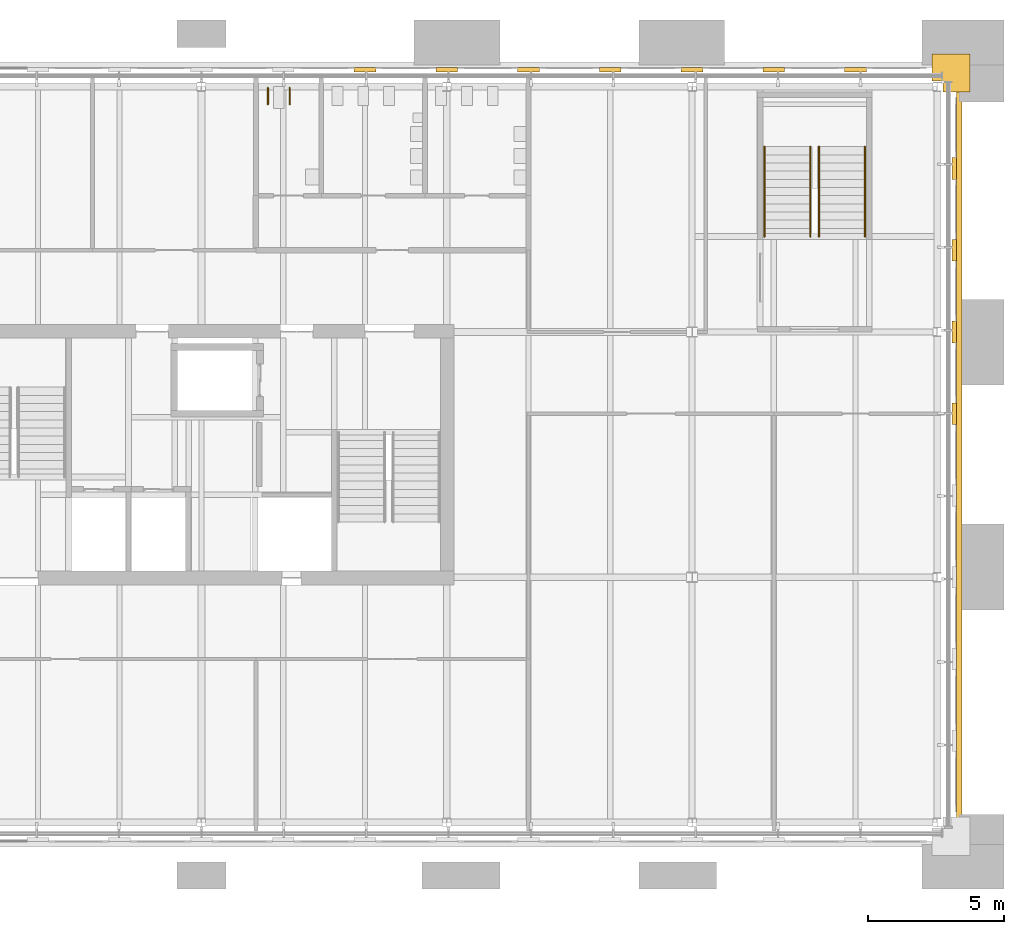
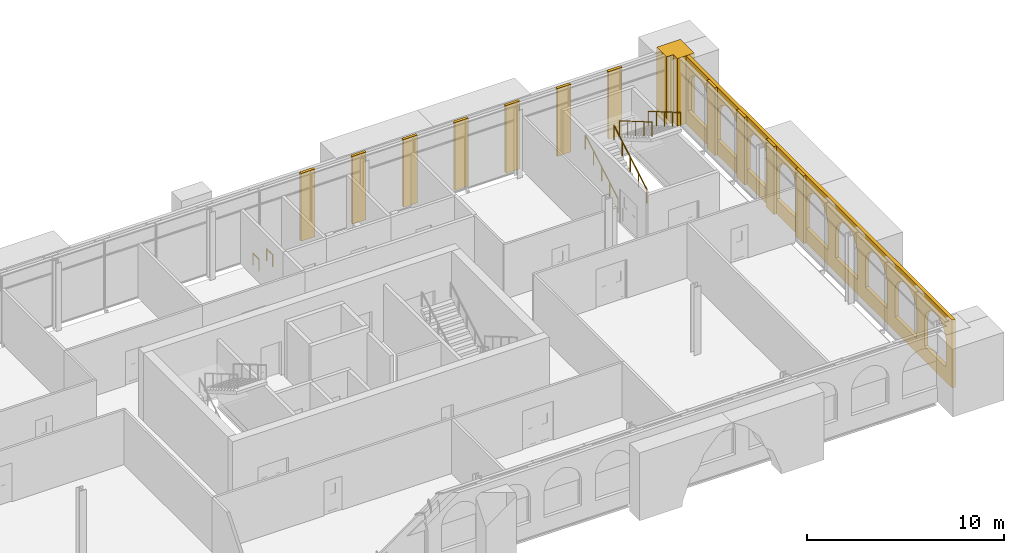
# One storey, part 21 of 22: 12 shading devices, 6 railings, 1 covering.
"""IFC4 building model written with IfcOpenShell, lengths in metres."""

from ifc_helpers import new_model, si_unit, direction, frame, origin, origin_2d, place, context, subcontext, project, spatial, polyline, rectangle, circle, outline, extrude, material, layer, layer_set, type_object, element, save


model = new_model("IFC4")

# Units and contexts
model_context = context("Model", 3, precision=1e-05, world=origin(), true_north=direction((0.0, 1.0)))
body_context = subcontext(model_context, "Body", "Model", "MODEL_VIEW")
ifc_project = project(units=[si_unit("LENGTHUNIT", "METRE"), si_unit("AREAUNIT", "SQUARE_METRE"), si_unit("VOLUMEUNIT", "CUBIC_METRE"), si_unit("PLANEANGLEUNIT", "RADIAN"), si_unit("MASSUNIT", "GRAM", prefix="KILO")], contexts=[model_context])

# Site, building, storey
site_placement = place(None, origin())
site = spatial("IfcSite", under=ifc_project, at=site_placement, CompositionType="ELEMENT")
building_placement = place(site_placement, origin())
building = spatial("IfcBuilding", under=site, at=building_placement, Name="Baradari Gate Terminus", CompositionType="ELEMENT")
storey_placement = place(building_placement, frame((0.0, 0.0, 28.5)))
storey = spatial("IfcBuildingStorey", under=building, at=storey_placement, Name="L06", CompositionType="ELEMENT", Elevation=28.5)

# Railings
ifc_material_1 = material(Name="Stainless steel 1.4301", Category="steel")
railing_type_1 = type_object("IfcRailingType", Name="Grab rail GB-1 750", PredefinedType="HANDRAIL", material=ifc_material_1)
for number, where, name in (
    (1, (38.4375, 143.949951171875, 0.0), "Grab rail Accessible WC"),
    (2, (39.237548828125, 143.949951171875, 0.0), "Grab rail Accessible WC"),
):
    element("IfcRailing", number, at=place(storey_placement, frame(where)), inside=storey, type_object=railing_type_1, Name=name, PredefinedType="HANDRAIL", context=body_context, shape_type="SweptSolid", body=[
        extrude(circle(Radius=0.02392578125, at=origin_2d()), frame((0.0, 0.0, 0.72607421875), z_axis=(0.0, -1.0, 0.0), x_axis=(1.0, 0.0, 0.0)), (0.0, 0.0, 1.0), 0.599853515625),
        extrude(circle(Radius=0.02099609375, at=origin_2d()), origin(), (0.0, 0.0, 1.0), 0.701904296875),
        extrude(circle(Radius=0.02099609375, at=origin_2d()), frame((0.0, -0.599853515625, 0.0)), (0.0, 0.0, 1.0), 0.701904296875),
    ])
ifc_material_2 = material(Name="Stainless steel 1.4301", Category="steel")
railing_type_2 = type_object("IfcRailingType", Name="Handrail HR-1 900", PredefinedType="HANDRAIL", material=ifc_material_2)
for number, where, name in (
    (3, (56.659912109375, 138.5, 0.175048828125), "Handrail ST-T3 L06 flight 1"),
    (4, (58.340087890625, 138.5, 0.175048828125), "Handrail ST-T3 L06 flight 1"),
):
    element("IfcRailing", number, at=place(storey_placement, frame(where)), inside=storey, type_object=railing_type_2, Name=name, PredefinedType="HANDRAIL", context=body_context, shape_type="SweptSolid", body=[
        extrude(circle(Radius=0.02392578125, at=origin_2d()), frame((0.0, 0.0, 0.8759765625), z_axis=(0.0, 0.863776583165, 0.503874998761), x_axis=(-1.0, 0.0, 0.0)), (0.0, 0.0, 1.0), 3.820556640625),
        extrude(circle(Radius=0.02099609375, at=origin_2d()), origin(), (0.0, 0.0, 1.0), 0.851806640625),
        extrude(circle(Radius=0.02099609375, at=origin_2d()), frame((0.0, 0.824951171875, 0.481201171875)), (0.0, 0.0, 1.0), 0.851806640625),
        extrude(circle(Radius=0.02099609375, at=origin_2d()), frame((0.0, 1.64990234375, 0.96240234375)), (0.0, 0.0, 1.0), 0.851806640625),
        extrude(circle(Radius=0.02099609375, at=origin_2d()), frame((0.0, 2.47509765625, 1.44384765625)), (0.0, 0.0, 1.0), 0.851806640625),
        extrude(circle(Radius=0.02099609375, at=origin_2d()), frame((0.0, 3.300048828125, 1.925048828125)), (0.0, 0.0, 1.0), 0.851806640625),
    ])
for number, where, name in (
    (5, (58.659912109375, 141.800048828125, 2.27490234375), "Handrail ST-T3 L06 flight 2"),
    (6, (60.340087890625, 141.800048828125, 2.27490234375), "Handrail ST-T3 L06 flight 2"),
):
    element("IfcRailing", number, at=place(storey_placement, frame(where)), inside=storey, type_object=railing_type_2, Name=name, PredefinedType="HANDRAIL", context=body_context, shape_type="SweptSolid", body=[
        extrude(circle(Radius=0.02392578125, at=origin_2d()), frame((0.0, 0.0, 0.8759765625), z_axis=(0.0, -0.863776583165, 0.503874998761), x_axis=(1.0, 0.0, 0.0)), (0.0, 0.0, 1.0), 3.820556640625),
        extrude(circle(Radius=0.02099609375, at=origin_2d()), origin(), (0.0, 0.0, 1.0), 0.851806640625),
        extrude(circle(Radius=0.02099609375, at=origin_2d()), frame((0.0, -0.824951171875, 0.481201171875)), (0.0, 0.0, 1.0), 0.851806640625),
        extrude(circle(Radius=0.02099609375, at=origin_2d()), frame((0.0, -1.64990234375, 0.96240234375)), (0.0, 0.0, 1.0), 0.851806640625),
        extrude(circle(Radius=0.02099609375, at=origin_2d()), frame((0.0, -2.47509765625, 1.44384765625)), (0.0, 0.0, 1.0), 0.851806640625),
        extrude(circle(Radius=0.02099609375, at=origin_2d()), frame((0.0, -3.300048828125, 1.925048828125)), (0.0, 0.0, 1.0), 0.851806640625),
    ])

# Covering
ifc_material_3 = material(Name="Light ochre laterite masonry", Category="masonry")
ifc_layer = layer(ifc_material_3, 0.199951171875)
ifc_layer_set = layer_set([ifc_layer], Name="Light ochre laterite masonry")
covering_type = type_object("IfcCoveringType", Name="Laterite arcade cladding LC-2 200", PredefinedType="CLADDING", material=ifc_layer_set)
covering_placement = place(storey_placement, frame((63.800048828125, 116.800048828125, 0.0), z_axis=(0.0, 0.0, 1.0), x_axis=(0.0, 1.0, 0.0)))
element("IfcCovering", 7, at=covering_placement, inside=storey, type_object=covering_type, Name="Laterite arcade cladding LC-2 L06 E face 1", PredefinedType="CLADDING", context=body_context, shape_type="SweptSolid", body=[
    extrude(outline(polyline([(0.0, 0.0), (27.39990234375, 0.0), (27.39990234375, 4.199951171875), (0.0, 4.199951171875), (0.0, 0.0)]), holes=[polyline([(0.63671875, 2.69482421875), (0.681884765625, 2.836669921875), (0.744384765625, 2.9716796875), (0.822998046875, 3.09814453125), (0.91650390625, 3.2138671875), (1.023681640625, 3.317138671875), (1.142822265625, 3.406494140625), (1.272216796875, 3.48046875), (1.409423828125, 3.537841796875), (1.552734375, 3.577880859375), (1.699951171875, 3.60009765625), (1.84716796875, 3.577880859375), (1.990478515625, 3.537841796875), (2.1279296875, 3.48046875), (2.257080078125, 3.406494140625), (2.376220703125, 3.317138671875), (2.4833984375, 3.2138671875), (2.576904296875, 3.09814453125), (2.655517578125, 2.9716796875), (2.718017578125, 2.836669921875), (2.76318359375, 2.69482421875), (2.790771484375, 2.548583984375), (2.800048828125, 2.39990234375), (2.800048828125, 0.89990234375), (0.60009765625, 0.89990234375), (0.60009765625, 2.39990234375), (0.609130859375, 2.548583984375), (0.63671875, 2.69482421875)]), polyline([(3.63671875, 2.69482421875), (3.681884765625, 2.836669921875), (3.744384765625, 2.9716796875), (3.822998046875, 3.09814453125), (3.91650390625, 3.2138671875), (4.023681640625, 3.317138671875), (4.142822265625, 3.406494140625), (4.272216796875, 3.48046875), (4.409423828125, 3.537841796875), (4.552734375, 3.577880859375), (4.699951171875, 3.60009765625), (4.84716796875, 3.577880859375), (4.990478515625, 3.537841796875), (5.1279296875, 3.48046875), (5.257080078125, 3.406494140625), (5.376220703125, 3.317138671875), (5.4833984375, 3.2138671875), (5.576904296875, 3.09814453125), (5.655517578125, 2.9716796875), (5.718017578125, 2.836669921875), (5.76318359375, 2.69482421875), (5.790771484375, 2.548583984375), (5.800048828125, 2.39990234375), (5.800048828125, 0.89990234375), (3.60009765625, 0.89990234375), (3.60009765625, 2.39990234375), (3.609130859375, 2.548583984375), (3.63671875, 2.69482421875)]), polyline([(6.63671875, 2.69482421875), (6.681884765625, 2.836669921875), (6.744384765625, 2.9716796875), (6.822998046875, 3.09814453125), (6.91650390625, 3.2138671875), (7.023681640625, 3.317138671875), (7.142822265625, 3.406494140625), (7.272216796875, 3.48046875), (7.409423828125, 3.537841796875), (7.552734375, 3.577880859375), (7.699951171875, 3.60009765625), (7.84716796875, 3.577880859375), (7.990478515625, 3.537841796875), (8.1279296875, 3.48046875), (8.257080078125, 3.406494140625), (8.376220703125, 3.317138671875), (8.4833984375, 3.2138671875), (8.576904296875, 3.09814453125), (8.655517578125, 2.9716796875), (8.718017578125, 2.836669921875), (8.76318359375, 2.69482421875), (8.790771484375, 2.548583984375), (8.800048828125, 2.39990234375), (8.800048828125, 0.89990234375), (6.60009765625, 0.89990234375), (6.60009765625, 2.39990234375), (6.609130859375, 2.548583984375), (6.63671875, 2.69482421875)]), polyline([(9.63671875, 2.69482421875), (9.681884765625, 2.836669921875), (9.744384765625, 2.9716796875), (9.822998046875, 3.09814453125), (9.91650390625, 3.2138671875), (10.023681640625, 3.317138671875), (10.142822265625, 3.406494140625), (10.272216796875, 3.48046875), (10.409423828125, 3.537841796875), (10.552734375, 3.577880859375), (10.699951171875, 3.60009765625), (10.84716796875, 3.577880859375), (10.990478515625, 3.537841796875), (11.1279296875, 3.48046875), (11.257080078125, 3.406494140625), (11.376220703125, 3.317138671875), (11.4833984375, 3.2138671875), (11.576904296875, 3.09814453125), (11.655517578125, 2.9716796875), (11.718017578125, 2.836669921875), (11.76318359375, 2.69482421875), (11.790771484375, 2.548583984375), (11.800048828125, 2.39990234375), (11.800048828125, 0.89990234375), (9.60009765625, 0.89990234375), (9.60009765625, 2.39990234375), (9.609130859375, 2.548583984375), (9.63671875, 2.69482421875)]), polyline([(12.63671875, 2.69482421875), (12.681884765625, 2.836669921875), (12.744384765625, 2.9716796875), (12.822998046875, 3.09814453125), (12.91650390625, 3.2138671875), (13.023681640625, 3.317138671875), (13.142822265625, 3.406494140625), (13.272216796875, 3.48046875), (13.409423828125, 3.537841796875), (13.552734375, 3.577880859375), (13.699951171875, 3.60009765625), (13.84716796875, 3.577880859375), (13.990478515625, 3.537841796875), (14.1279296875, 3.48046875), (14.257080078125, 3.406494140625), (14.376220703125, 3.317138671875), (14.4833984375, 3.2138671875), (14.576904296875, 3.09814453125), (14.655517578125, 2.9716796875), (14.718017578125, 2.836669921875), (14.76318359375, 2.69482421875), (14.790771484375, 2.548583984375), (14.800048828125, 2.39990234375), (14.800048828125, 0.89990234375), (12.60009765625, 0.89990234375), (12.60009765625, 2.39990234375), (12.609130859375, 2.548583984375), (12.63671875, 2.69482421875)]), polyline([(15.63671875, 2.69482421875), (15.681884765625, 2.836669921875), (15.744384765625, 2.9716796875), (15.822998046875, 3.09814453125), (15.91650390625, 3.2138671875), (16.023681640625, 3.317138671875), (16.142822265625, 3.406494140625), (16.272216796875, 3.48046875), (16.409423828125, 3.537841796875), (16.552734375, 3.577880859375), (16.699951171875, 3.60009765625), (16.84716796875, 3.577880859375), (16.990478515625, 3.537841796875), (17.1279296875, 3.48046875), (17.257080078125, 3.406494140625), (17.376220703125, 3.317138671875), (17.4833984375, 3.2138671875), (17.576904296875, 3.09814453125), (17.655517578125, 2.9716796875), (17.718017578125, 2.836669921875), (17.76318359375, 2.69482421875), (17.790771484375, 2.548583984375), (17.800048828125, 2.39990234375), (17.800048828125, 0.89990234375), (15.60009765625, 0.89990234375), (15.60009765625, 2.39990234375), (15.609130859375, 2.548583984375), (15.63671875, 2.69482421875)]), polyline([(18.63671875, 2.69482421875), (18.681884765625, 2.836669921875), (18.744384765625, 2.9716796875), (18.822998046875, 3.09814453125), (18.91650390625, 3.2138671875), (19.023681640625, 3.317138671875), (19.142822265625, 3.406494140625), (19.272216796875, 3.48046875), (19.409423828125, 3.537841796875), (19.552734375, 3.577880859375), (19.699951171875, 3.60009765625), (19.84716796875, 3.577880859375), (19.990478515625, 3.537841796875), (20.1279296875, 3.48046875), (20.257080078125, 3.406494140625), (20.376220703125, 3.317138671875), (20.4833984375, 3.2138671875), (20.576904296875, 3.09814453125), (20.655517578125, 2.9716796875), (20.718017578125, 2.836669921875), (20.76318359375, 2.69482421875), (20.790771484375, 2.548583984375), (20.800048828125, 2.39990234375), (20.800048828125, 0.89990234375), (18.60009765625, 0.89990234375), (18.60009765625, 2.39990234375), (18.609130859375, 2.548583984375), (18.63671875, 2.69482421875)]), polyline([(21.681884765625, 2.836669921875), (21.744384765625, 2.9716796875), (21.822998046875, 3.09814453125), (21.91650390625, 3.2138671875), (22.023681640625, 3.317138671875), (22.142822265625, 3.406494140625), (22.272216796875, 3.48046875), (22.409423828125, 3.537841796875), (22.552734375, 3.577880859375), (22.699951171875, 3.60009765625), (22.84716796875, 3.577880859375), (22.990478515625, 3.537841796875), (23.1279296875, 3.48046875), (23.257080078125, 3.406494140625), (23.376220703125, 3.317138671875), (23.4833984375, 3.2138671875), (23.576904296875, 3.09814453125), (23.655517578125, 2.9716796875), (23.718017578125, 2.836669921875), (23.76318359375, 2.69482421875), (23.790771484375, 2.548583984375), (23.800048828125, 2.39990234375), (23.800048828125, 0.89990234375), (21.60009765625, 0.89990234375), (21.60009765625, 2.39990234375), (21.609130859375, 2.548583984375), (21.63671875, 2.69482421875), (21.681884765625, 2.836669921875)]), polyline([(24.681884765625, 2.836669921875), (24.744384765625, 2.9716796875), (24.822998046875, 3.09814453125), (24.91650390625, 3.2138671875), (25.023681640625, 3.317138671875), (25.142822265625, 3.406494140625), (25.272216796875, 3.48046875), (25.409423828125, 3.537841796875), (25.552734375, 3.577880859375), (25.699951171875, 3.60009765625), (25.84716796875, 3.577880859375), (25.990478515625, 3.537841796875), (26.1279296875, 3.48046875), (26.257080078125, 3.406494140625), (26.376220703125, 3.317138671875), (26.4833984375, 3.2138671875), (26.576904296875, 3.09814453125), (26.655517578125, 2.9716796875), (26.718017578125, 2.836669921875), (26.76318359375, 2.69482421875), (26.790771484375, 2.548583984375), (26.800048828125, 2.39990234375), (26.800048828125, 0.89990234375), (24.60009765625, 0.89990234375), (24.60009765625, 2.39990234375), (24.609130859375, 2.548583984375), (24.63671875, 2.69482421875), (24.681884765625, 2.836669921875)])]), frame((0.0, 0.10009765625, 0.0), z_axis=(0.0, -1.0, 0.0), x_axis=(1.0, 0.0, 0.0)), (0.0, 0.0, 1.0), 0.199951171875),
])

# Shading devices
ifc_material_4 = material(Name="Light ochre laterite masonry", Category="masonry")
shading_device_type_1 = type_object("IfcShadingDeviceType", Name="Laterite arcade pier TP-4 800x195", PredefinedType="SHUTTER", material=ifc_material_4)
for number, where, z_axis, x_axis, name in (
    (8, (63.62255859375, 132.0, 0.0), (0.0, 0.0, 1.0), (0.0, 1.0, 0.0), "Arcade pier TP-4 L06 E face"),
    (9, (63.62255859375, 135.0, 0.0), (0.0, 0.0, 1.0), (0.0, 1.0, 0.0), "Arcade pier TP-4 L06 E face"),
    (10, (63.62255859375, 138.0, 0.0), (0.0, 0.0, 1.0), (0.0, 1.0, 0.0), "Arcade pier TP-4 L06 E face"),
    (11, (63.62255859375, 141.0, 0.0), (0.0, 0.0, 1.0), (0.0, 1.0, 0.0), "Arcade pier TP-4 L06 E face"),
    (12, (60.0, 144.62255859375, 0.0), (0.0, 0.0, 1.0), (-1.0, 0.0, 0.0), "Arcade pier TP-4 L06 N face"),
    (13, (57.0, 144.62255859375, 0.0), (0.0, 0.0, 1.0), (-1.0, 0.0, 0.0), "Arcade pier TP-4 L06 N face"),
    (14, (54.0, 144.62255859375, 0.0), (0.0, 0.0, 1.0), (-1.0, 0.0, 0.0), "Arcade pier TP-4 L06 N face"),
    (15, (51.0, 144.62255859375, 0.0), (0.0, 0.0, 1.0), (-1.0, 0.0, 0.0), "Arcade pier TP-4 L06 N face"),
    (16, (48.0, 144.62255859375, 0.0), (0.0, 0.0, 1.0), (-1.0, 0.0, 0.0), "Arcade pier TP-4 L06 N face"),
    (17, (45.0, 144.62255859375, 0.0), (0.0, 0.0, 1.0), (-1.0, 0.0, 0.0), "Arcade pier TP-4 L06 N face"),
    (18, (42.0, 144.62255859375, 0.0), (0.0, 0.0, 1.0), (-1.0, 0.0, 0.0), "Arcade pier TP-4 L06 N face"),
):
    element("IfcShadingDevice", number, at=place(storey_placement, frame(where, z_axis=z_axis, x_axis=x_axis)), inside=storey, type_object=shading_device_type_1, Name=name, PredefinedType="SHUTTER", context=body_context, shape_type="SweptSolid", body=[
        extrude(rectangle(XDim=0.800048828125, YDim=0.155029296875, at=origin_2d()), origin(), (0.0, 0.0, 1.0), 4.199951171875),
    ])
ifc_material_5 = material(Name="Light ochre laterite masonry", Category="masonry")
shading_device_type_2 = type_object("IfcShadingDeviceType", Name="Laterite corner pier QP-1 1000x1000", PredefinedType="SHUTTER", material=ifc_material_5)
shading_device_placement = place(storey_placement, origin())
element("IfcShadingDevice", 19, at=shading_device_placement, inside=storey, type_object=shading_device_type_2, Name="Corner pier QP-1 L06 at grid 63/144", PredefinedType="SHUTTER", context=body_context, shape_type="SweptSolid", body=[
    extrude(outline(polyline([(64.199951171875, 143.800048828125), (63.199951171875, 143.800048828125), (63.199951171875, 144.199951171875), (62.800048828125, 144.199951171875), (62.800048828125, 145.199951171875), (64.199951171875, 145.199951171875), (64.199951171875, 143.800048828125)])), origin(), (0.0, 0.0, 1.0), 4.199951171875),
])

save(model, "model.ifc")
